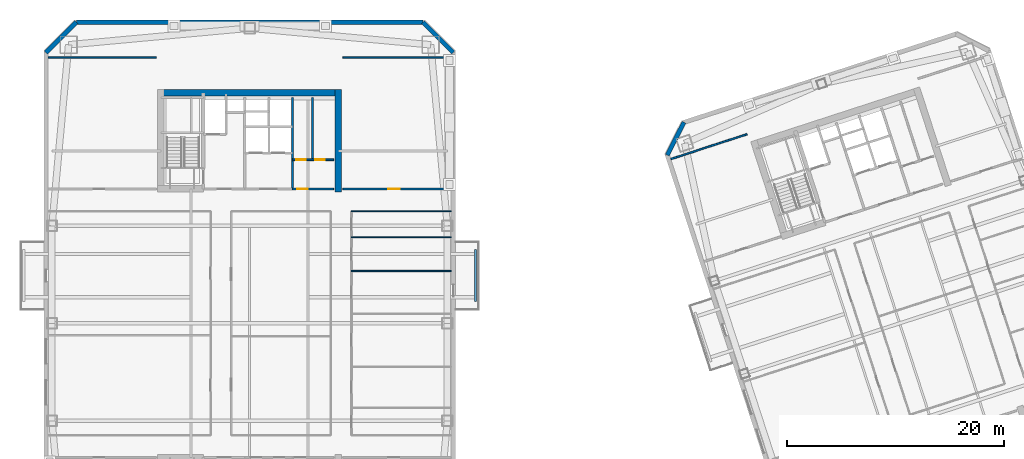
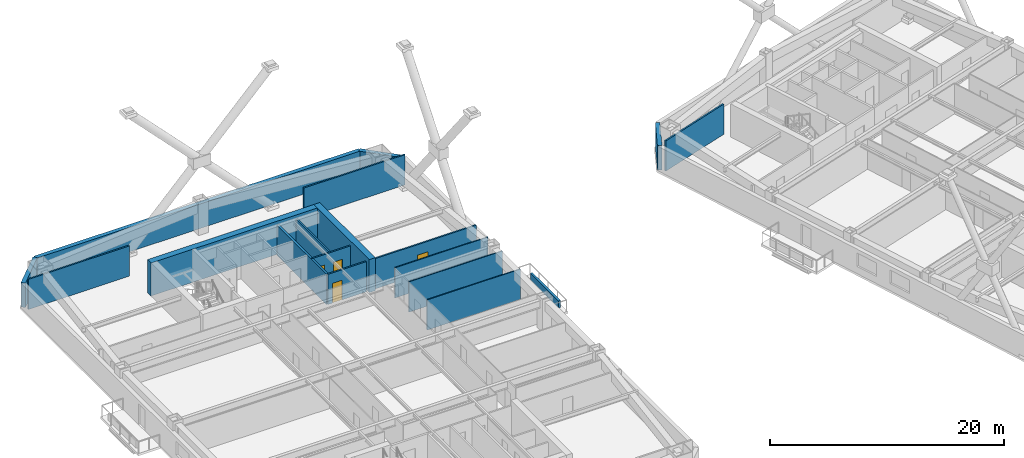
# One storey, part 8 of 17: 18 walls, 4 doors, 4 openings.
"""IFC4 building model written with IfcOpenShell, lengths in metres."""

from ifc_helpers import new_model, si_unit, direction, frame, frame_2d, origin, place, context, subcontext, project, spatial, rectangle, extrude, material, layer, layer_set, type_object, element, fill, save


model = new_model("IFC4")

# Units and contexts
model_context = context("Model", 3, precision=1e-05, world=origin(), true_north=direction((0.0, 1.0)))
body_context = subcontext(model_context, "Body", "Model", "MODEL_VIEW")
ifc_project = project(units=[si_unit("LENGTHUNIT", "METRE"), si_unit("AREAUNIT", "SQUARE_METRE"), si_unit("VOLUMEUNIT", "CUBIC_METRE"), si_unit("PLANEANGLEUNIT", "RADIAN"), si_unit("MASSUNIT", "GRAM", prefix="KILO")], contexts=[model_context])

# Site, building, storey
site_placement = place(None, origin())
site = spatial("IfcSite", under=ifc_project, at=site_placement, CompositionType="ELEMENT")
building_placement = place(site_placement, origin())
building = spatial("IfcBuilding", under=site, at=building_placement, Name="Qiaolan Cultural Towers", CompositionType="ELEMENT")
storey_placement = place(building_placement, frame((0.0, 0.0, 134.550048828125)))
storey = spatial("IfcBuildingStorey", under=building, at=storey_placement, Name="L35", CompositionType="ELEMENT", Elevation=134.550048828125)

# Walls
ifc_material_1 = material(Name="Concrete C55", Category="concrete")
ifc_layer_1 = layer(ifc_material_1, 0.60009765625)
ifc_layer_set_1 = layer_set([ifc_layer_1], Name="Concrete C55")
wall_type_1 = type_object("IfcWallType", Name="WL-CORE-600", PredefinedType="SHEAR", material=ifc_layer_set_1)
wall_1_placement = place(storey_placement, frame((21.5, 55.280029296875, 0.0), z_axis=(0.0, 0.0, 1.0), x_axis=(1.0, 0.0, 0.0)))
element("IfcWall", 1, at=wall_1_placement, inside=storey, type_object=wall_type_1, Name="L35 T1-CN Outer Core Shear Wall", PredefinedType="SHEAR", context=body_context, shape_type="SweptSolid", body=[
    extrude(rectangle(XDim=17.0, YDim=0.60009765625, at=frame_2d((8.5, 0.0))), origin(), (0.0, 0.0, 1.0), 3.449951171875),
])
wall_2_placement = place(storey_placement, frame((38.199951171875, 46.10009765625, 0.0), z_axis=(0.0, 0.0, 1.0), x_axis=(0.0, 1.0, 0.0)))
element("IfcWall", 2, at=wall_2_placement, inside=storey, type_object=wall_type_1, Name="L35 T1-CN East Core Shear Wall", PredefinedType="SHEAR", context=body_context, shape_type="SweptSolid", body=[
    extrude(rectangle(XDim=9.47998046875, YDim=0.60009765625, at=frame_2d((4.739990234375, 0.0))), origin(), (0.0, 0.0, 1.0), 3.449951171875),
])
ifc_material_2 = material(Name="Precast Concrete C50 Honed Stone Pier", Category="masonry")
ifc_layer_2 = layer(ifc_material_2, 0.39990234375)
ifc_layer_set_2 = layer_set([ifc_layer_2], Name="Precast Concrete C50 Honed Stone Pier")
wall_type_2 = type_object("IfcWallType", Name="WL-EXT-PIER-400", PredefinedType="SOLIDWALL", material=ifc_layer_set_2)
wall_3_placement = place(storey_placement, frame((11.199951171875, 59.0, 0.0), z_axis=(0.0, 0.0, 1.0), x_axis=(0.707106781187, 0.707106781187, 0.0)))
element("IfcWall", 3, at=wall_3_placement, inside=storey, type_object=wall_type_2, Name="L35 West Tower Precast Pier Facade Wall F2", PredefinedType="SOLIDWALL", context=body_context, shape_type="SweptSolid", body=[
    extrude(rectangle(XDim=3.9599609375, YDim=0.39990234375, at=frame_2d((1.97998046875, 0.0))), origin(), (0.0, 0.0, 1.0), 2.550048828125),
])
wall_4_placement = place(storey_placement, frame((14.0, 61.800048828125, 0.0), z_axis=(0.0, 0.0, 1.0), x_axis=(1.0, 0.0, 0.0)))
element("IfcWall", 4, at=wall_4_placement, inside=storey, type_object=wall_type_2, Name="L35 West Tower Precast Pier Facade Wall F3", PredefinedType="SOLIDWALL", context=body_context, shape_type="SweptSolid", body=[
    extrude(rectangle(XDim=32.0, YDim=0.39990234375, at=frame_2d((16.0, 0.0))), origin(), (0.0, 0.0, 1.0), 2.550048828125),
])
wall_5_placement = place(storey_placement, frame((46.0, 61.800048828125, 0.0), z_axis=(0.0, 0.0, 1.0), x_axis=(0.707106781187, -0.707106781187, 0.0)))
element("IfcWall", 5, at=wall_5_placement, inside=storey, type_object=wall_type_2, Name="L35 West Tower Precast Pier Facade Wall F4", PredefinedType="SOLIDWALL", context=body_context, shape_type="SweptSolid", body=[
    extrude(rectangle(XDim=3.9599609375, YDim=0.39990234375, at=frame_2d((1.97998046875, 0.0))), origin(), (0.0, 0.0, 1.0), 2.550048828125),
])
wall_6_placement = place(storey_placement, frame((68.550537109375, 49.531982421875, 0.0), z_axis=(0.0, 0.0, 1.0), x_axis=(0.454019523198, 0.890991735402, 0.0)))
element("IfcWall", 6, at=wall_6_placement, inside=storey, type_object=wall_type_2, Name="L35 East Tower Precast Pier Facade Wall F2", PredefinedType="SOLIDWALL", context=body_context, shape_type="SweptSolid", body=[
    extrude(rectangle(XDim=3.39404296875, YDim=0.39990234375, at=frame_2d((1.697021484375, 0.0))), origin(), (0.0, 0.0, 1.0), 2.550048828125),
])
ifc_material_3 = material(Name="Concrete C35 Fire Wall", Category="concrete")
ifc_layer_3 = layer(ifc_material_3, 0.199951171875)
ifc_layer_set_3 = layer_set([ifc_layer_3], Name="Concrete C35 Fire Wall")
wall_type_3 = type_object("IfcWallType", Name="WL-FIRE-200", PredefinedType="PARTITIONING", material=ifc_layer_set_3)
wall_7_placement = place(storey_placement, frame((33.949951171875, 46.39990234375, 0.0), z_axis=(0.0, 0.0, 1.0), x_axis=(0.0, 1.0, 0.0)))
element("IfcWall", 7, at=wall_7_placement, inside=storey, type_object=wall_type_3, Name="L35 T1-CN Lift Core East Wall", PredefinedType="PARTITIONING", context=body_context, shape_type="SweptSolid", body=[
    extrude(rectangle(XDim=8.43017578125, YDim=0.199951171875, at=frame_2d((4.215087890625, 0.0))), origin(), (0.0, 0.0, 1.0), 3.155029296875),
])
ifc_material_4 = material(Name="Acoustic Double-Glazed Partition Frame", Category="glass")
ifc_layer_4 = layer(ifc_material_4, 0.10009765625)
ifc_layer_set_4 = layer_set([ifc_layer_4], Name="Acoustic Double-Glazed Partition Frame")
wall_type_4 = type_object("IfcWallType", Name="WL-GLAZED-100", PredefinedType="MOVABLE", material=ifc_layer_set_4)
for number, where, z_axis, x_axis, name in (
    (8, (39.39990234375, 44.35009765625, 0.0), (0.0, 0.0, 1.0), (1.0, 0.0, 0.0), "L35 T1 Interior Wall"),
    (9, (39.39990234375, 38.8291015625, 0.0), (0.0, 0.0, 1.0), (1.0, 0.0, 0.0), "L35 T1 Interior Wall"),
    (10, (39.39990234375, 41.93408203125, 0.0), (0.0, 0.0, 1.0), (1.0, 0.0, 0.0), "L35 T1 Interior Wall"),
):
    element("IfcWall", number, at=place(storey_placement, frame(where, z_axis=z_axis, x_axis=x_axis)), inside=storey, type_object=wall_type_4, Name=name, PredefinedType="MOVABLE", context=body_context, shape_type="SweptSolid", body=[
        extrude(rectangle(XDim=9.2001953125, YDim=0.10009765625, at=frame_2d((4.60009765625, 0.0))), origin(), (0.0, 0.0, 1.0), 3.155029296875),
    ])

# Wall, opening, door
ifc_material_5 = material(Name="Autoclaved Aerated Concrete Block B06", Category="concrete")
ifc_layer_5 = layer(ifc_material_5, 0.14990234375)
ifc_layer_set_5 = layer_set([ifc_layer_5], Name="Autoclaved Aerated Concrete Block B06")
wall_type_5 = type_object("IfcWallType", Name="WL-PART-150", PredefinedType="PARTITIONING", material=ifc_layer_set_5)
wall_8_placement = place(storey_placement, frame((33.949951171875, 46.39990234375, 0.0), z_axis=(0.0, 0.0, 1.0), x_axis=(1.0, 0.0, 0.0)))
wall_8 = element("IfcWall", 11, at=wall_8_placement, inside=storey, type_object=wall_type_5, Name="L35 T1-CN Sanitary Core Front Wall", PredefinedType="PARTITIONING", context=body_context, shape_type="SweptSolid", body=[
    extrude(rectangle(XDim=3.800048828125, YDim=0.14990234375, at=frame_2d((1.89990234375, 0.0))), origin(), (0.0, 0.0, 1.0), 3.155029296875),
])
opening_1_placement = place(wall_8_placement, frame((0.449951171875, 0.0, 0.0)))
opening_1 = element("IfcOpeningElement", 12, at=opening_1_placement, cuts=wall_8, Name="Opening ID-05", PredefinedType="OPENING", context=body_context, shape_type="SweptSolid", body=[
    extrude(rectangle(XDim=0.949951171875, YDim=2.050048828125, at=frame_2d((0.47509765625, 1.02490234375))), frame((0.0, 0.0849609375, 0.0), z_axis=(0.0, -1.0, 0.0), x_axis=(1.0, 0.0, 0.0)), (0.0, 0.0, 1.0), 0.169921875),
])
ifc_material_6 = material(Name="Fire-Rated Laminate Accessible Core Door", Category="timber")
door_type_1 = type_object("IfcDoorType", Name="DR-INT-950", OperationType="NOTDEFINED", PredefinedType="DOOR", material=ifc_material_6)
door_1_placement = place(opening_1_placement, origin())
door_1 = element("IfcDoor", 13, at=door_1_placement, inside=storey, type_object=door_type_1, Name="L35 Sanitary Vestibule Door", OperationType="SINGLE_SWING_LEFT", OverallHeight=2.050048828125, OverallWidth=0.949951171875, PredefinedType="DOOR", context=body_context, shape_type="SweptSolid", body=[
    extrude(rectangle(XDim=0.949951171875, YDim=2.050048828125, at=frame_2d((0.47509765625, 1.02490234375))), frame((0.0, 0.02490234375, 0.0), z_axis=(0.0, -1.0, 0.0), x_axis=(1.0, 0.0, 0.0)), (0.0, 0.0, 1.0), 0.050048828125),
])
fill(opening_1, door_1)

# Wall, openings, doors
wall_9_placement = place(storey_placement, frame((33.949951171875, 49.10009765625, 0.0), z_axis=(0.0, 0.0, 1.0), x_axis=(1.0, 0.0, 0.0)))
wall_9 = element("IfcWall", 14, at=wall_9_placement, inside=storey, type_object=wall_type_5, Name="L35 T1-CN Restroom Vestibule Wall", PredefinedType="PARTITIONING", context=body_context, shape_type="SweptSolid", body=[
    extrude(rectangle(XDim=3.800048828125, YDim=0.14990234375, at=frame_2d((1.89990234375, 0.0))), origin(), (0.0, 0.0, 1.0), 3.155029296875),
])
opening_2_placement = place(wall_9_placement, frame((0.35009765625, 0.0, 0.0)))
opening_2 = element("IfcOpeningElement", 15, at=opening_2_placement, cuts=wall_9, Name="Opening ID-06", PredefinedType="OPENING", context=body_context, shape_type="SweptSolid", body=[
    extrude(rectangle(XDim=0.89990234375, YDim=2.050048828125, at=frame_2d((0.449951171875, 1.02490234375))), frame((0.0, 0.0849609375, 0.0), z_axis=(0.0, -1.0, 0.0), x_axis=(1.0, 0.0, 0.0)), (0.0, 0.0, 1.0), 0.169921875),
])
opening_3_placement = place(wall_9_placement, frame((2.10009765625, 0.0, 0.0)))
opening_3 = element("IfcOpeningElement", 16, at=opening_3_placement, cuts=wall_9, Name="Opening ID-06", PredefinedType="OPENING", context=body_context, shape_type="SweptSolid", body=[
    extrude(rectangle(XDim=0.89990234375, YDim=2.050048828125, at=frame_2d((0.449951171875, 1.02490234375))), frame((0.0, 0.0849609375, 0.0), z_axis=(0.0, -1.0, 0.0), x_axis=(1.0, 0.0, 0.0)), (0.0, 0.0, 1.0), 0.169921875),
])
ifc_material_7 = material(Name="Fire-Rated Laminate Core Service Door", Category="timber")
door_type_2 = type_object("IfcDoorType", Name="DR-INT-900", OperationType="NOTDEFINED", PredefinedType="DOOR", material=ifc_material_7)
door_2_placement = place(opening_2_placement, origin())
door_2 = element("IfcDoor", 17, at=door_2_placement, inside=storey, type_object=door_type_2, Name="L35 Men Restroom Door", OperationType="SINGLE_SWING_LEFT", OverallHeight=2.050048828125, OverallWidth=0.89990234375, PredefinedType="DOOR", context=body_context, shape_type="SweptSolid", body=[
    extrude(rectangle(XDim=0.89990234375, YDim=2.050048828125, at=frame_2d((0.449951171875, 1.02490234375))), frame((0.0, 0.02490234375, 0.0), z_axis=(0.0, -1.0, 0.0), x_axis=(1.0, 0.0, 0.0)), (0.0, 0.0, 1.0), 0.050048828125),
])
fill(opening_2, door_2)
door_3_placement = place(opening_3_placement, origin())
door_3 = element("IfcDoor", 18, at=door_3_placement, inside=storey, type_object=door_type_2, Name="L35 Accessible & Women Restroom Door", OperationType="SINGLE_SWING_RIGHT", OverallHeight=2.050048828125, OverallWidth=0.89990234375, PredefinedType="DOOR", context=body_context, shape_type="SweptSolid", body=[
    extrude(rectangle(XDim=0.89990234375, YDim=2.050048828125, at=frame_2d((0.449951171875, 1.02490234375))), frame((0.0, 0.02490234375, 0.0), z_axis=(0.0, -1.0, 0.0), x_axis=(1.0, 0.0, 0.0)), (0.0, 0.0, 1.0), 0.050048828125),
])
fill(opening_3, door_3)

# Walls
wall_10_placement = place(storey_placement, frame((35.800048828125, 49.10009765625, 0.0), z_axis=(0.0, 0.0, 1.0), x_axis=(0.0, 1.0, 0.0)))
element("IfcWall", 19, at=wall_10_placement, inside=storey, type_object=wall_type_5, Name="L35 T1-CN Restroom Divider Wall", PredefinedType="PARTITIONING", context=body_context, shape_type="SweptSolid", body=[
    extrude(rectangle(XDim=5.72998046875, YDim=0.14990234375, at=frame_2d((2.864990234375, 0.0))), origin(), (0.0, 0.0, 1.0), 3.155029296875),
])
for number, where, z_axis, x_axis, name in (
    (20, (11.39990234375, 58.550048828125, 0.0), (0.0, 0.0, 1.0), (1.0, 0.0, 0.0), "L35 T1 Flank Wall FLK-NW"),
    (21, (38.60009765625, 58.550048828125, 0.0), (0.0, 0.0, 1.0), (1.0, 0.0, 0.0), "L35 T1 Flank Wall FLK-NE"),
):
    element("IfcWall", number, at=place(storey_placement, frame(where, z_axis=z_axis, x_axis=x_axis)), inside=storey, type_object=wall_type_5, Name=name, PredefinedType="PARTITIONING", context=body_context, shape_type="SweptSolid", body=[
        extrude(rectangle(XDim=10.0, YDim=0.14990234375, at=frame_2d((5.0, 0.0))), origin(), (0.0, 0.0, 1.0), 3.155029296875),
    ])

# Wall, opening, door
wall_11_placement = place(storey_placement, frame((38.60009765625, 46.39990234375, 0.0), z_axis=(0.0, 0.0, 1.0), x_axis=(1.0, 0.0, 0.0)))
wall_11 = element("IfcWall", 22, at=wall_11_placement, inside=storey, type_object=wall_type_5, Name="L35 T1 Flank Front FLK-NE", PredefinedType="PARTITIONING", context=body_context, shape_type="SweptSolid", body=[
    extrude(rectangle(XDim=10.0, YDim=0.14990234375, at=frame_2d((5.0, 0.0))), origin(), (0.0, 0.0, 1.0), 3.155029296875),
])
opening_4_placement = place(wall_11_placement, frame((4.199951171875, 0.0, 0.0)))
opening_4 = element("IfcOpeningElement", 23, at=opening_4_placement, cuts=wall_11, Name="Opening ID-07", PredefinedType="OPENING", context=body_context, shape_type="SweptSolid", body=[
    extrude(rectangle(XDim=1.050048828125, YDim=2.050048828125, at=frame_2d((0.52490234375, 1.02490234375))), frame((0.0, 0.0849609375, 0.0), z_axis=(0.0, -1.0, 0.0), x_axis=(1.0, 0.0, 0.0)), (0.0, 0.0, 1.0), 0.169921875),
])
ifc_material_8 = material(Name="Oak Veneer Consultation Door", Category="timber")
door_type_3 = type_object("IfcDoorType", Name="DR-INT-1050", OperationType="NOTDEFINED", PredefinedType="DOOR", material=ifc_material_8)
door_4_placement = place(opening_4_placement, origin())
door_4 = element("IfcDoor", 24, at=door_4_placement, inside=storey, type_object=door_type_3, Name="L35 T1 Corner Studio Door", OperationType="SINGLE_SWING_LEFT", OverallHeight=2.050048828125, OverallWidth=1.050048828125, PredefinedType="DOOR", context=body_context, shape_type="SweptSolid", body=[
    extrude(rectangle(XDim=1.050048828125, YDim=2.050048828125, at=frame_2d((0.52490234375, 1.02490234375))), frame((0.0, 0.02490234375, 0.0), z_axis=(0.0, -1.0, 0.0), x_axis=(1.0, 0.0, 0.0)), (0.0, 0.0, 1.0), 0.050048828125),
])
fill(opening_4, door_4)

# Walls
wall_12_placement = place(storey_placement, frame((68.8798828125, 49.165771484375, 0.0), z_axis=(0.0, 0.0, 1.0), x_axis=(0.951060977215, 0.309003264738, 0.0)))
element("IfcWall", 25, at=wall_12_placement, inside=storey, type_object=wall_type_5, Name="L35 T2 Flank Wall FLK-NW", PredefinedType="PARTITIONING", context=body_context, shape_type="SweptSolid", body=[
    extrude(rectangle(XDim=7.39990234375, YDim=0.14990234375, at=frame_2d((3.699951171875, 0.0))), origin(), (0.0, 0.0, 1.0), 3.155029296875),
])
ifc_material_9 = material(Name="Precast Concrete C45 Tree Planter Upstand", Category="concrete")
ifc_layer_6 = layer(ifc_material_9, 0.199951171875)
ifc_layer_set_6 = layer_set([ifc_layer_6], Name="Precast Concrete C45 Tree Planter Upstand")
wall_type_6 = type_object("IfcWallType", Name="WL-PLANTER-200", PredefinedType="PARAPET", material=ifc_layer_set_6)
wall_13_placement = place(storey_placement, frame((50.85009765625, 36.0, 0.0), z_axis=(0.0, 0.0, 1.0), x_axis=(0.0, 1.0, 0.0)))
element("IfcWall", 26, at=wall_13_placement, inside=storey, type_object=wall_type_6, Name="L35 T1 Tree Balcony Soil Planter Box E", PredefinedType="PARAPET", context=body_context, shape_type="SweptSolid", body=[
    extrude(rectangle(XDim=4.800048828125, YDim=0.199951171875, at=frame_2d((2.39990234375, 0.0))), origin(), (0.0, 0.0, 1.0), 0.75),
])

save(model, "model.ifc")
